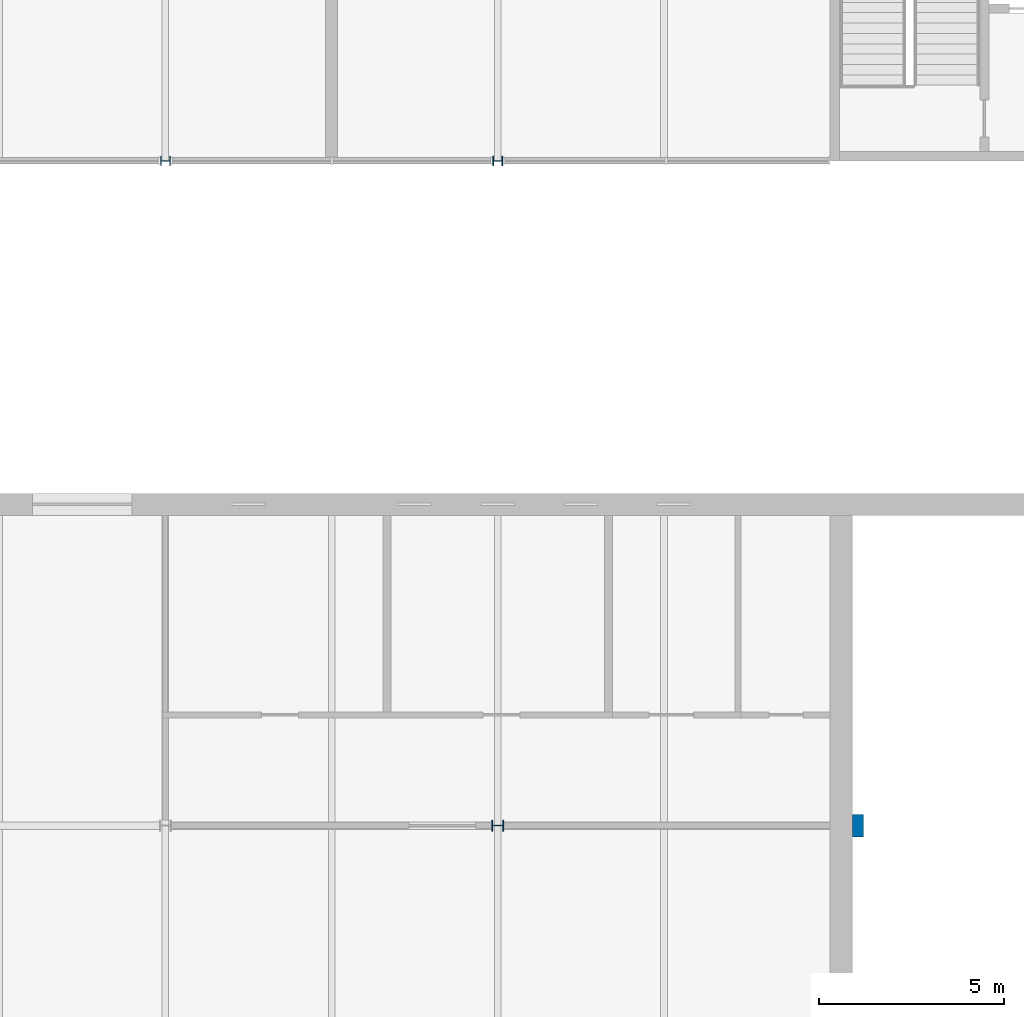
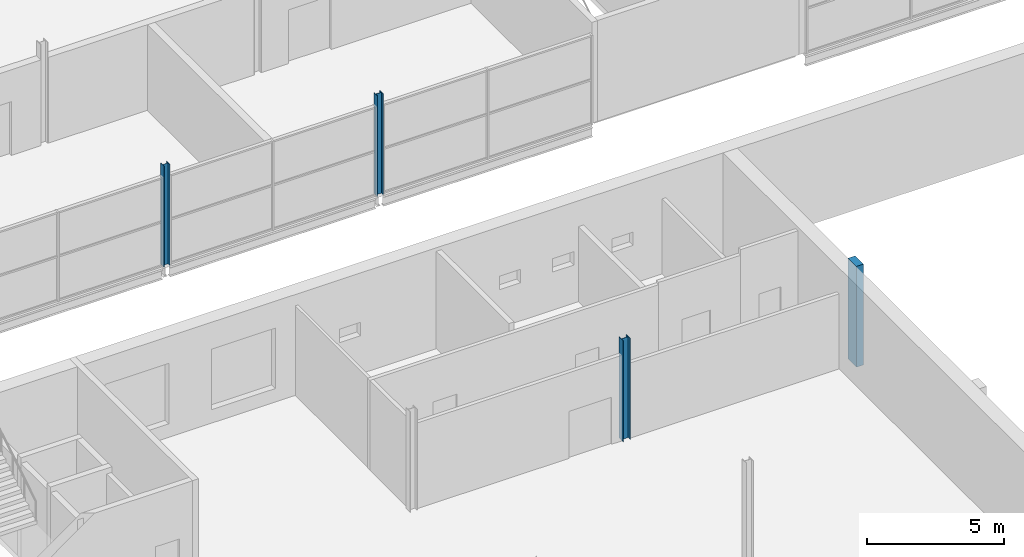
# One storey, part 17 of 97: 4 columns.
"""IFC4 building model written with IfcOpenShell, lengths in metres."""

from ifc_helpers import new_model, si_unit, direction, frame, origin, origin_2d, place, context, subcontext, project, spatial, rectangle, i_section, extrude, material, material_profile, profile_set, type_object, element, save


model = new_model("IFC4")

# Units and contexts
model_context = context("Model", 3, precision=1e-05, world=origin(), true_north=direction((0.0, 1.0)))
body_context = subcontext(model_context, "Body", "Model", "MODEL_VIEW")
ifc_project = project(units=[si_unit("LENGTHUNIT", "METRE"), si_unit("AREAUNIT", "SQUARE_METRE"), si_unit("VOLUMEUNIT", "CUBIC_METRE"), si_unit("PLANEANGLEUNIT", "RADIAN"), si_unit("MASSUNIT", "GRAM", prefix="KILO")], contexts=[model_context])

# Site, building, storey
site_placement = place(None, origin())
site = spatial("IfcSite", under=ifc_project, at=site_placement, CompositionType="ELEMENT")
building_placement = place(site_placement, origin())
building = spatial("IfcBuilding", under=site, at=building_placement, Name="Corbel Yard City Hall", CompositionType="ELEMENT")
storey_placement = place(building_placement, frame((0.0, 0.0, 6.0)))
storey = spatial("IfcBuildingStorey", under=building, at=storey_placement, Name="L01", CompositionType="ELEMENT", Elevation=6.0)

# Columns
ifc_material_1 = material(Name="Concrete N50 (50 MPa)", Category="concrete")
ifc_material_profile_1 = material_profile(ifc_material_1, rectangle(XDim=0.60009765625, YDim=0.300048828125, at=origin_2d()), Name="600x300")
ifc_profile_set_1 = profile_set([ifc_material_profile_1], Name="Concrete N50 (50 MPa)")
column_type_1 = type_object("IfcColumnType", Name="Chamber pilaster RC 600X300", PredefinedType="PILASTER", material=ifc_profile_set_1)
column_1_placement = place(storey_placement, frame((117.75, 72.0, 0.0), z_axis=(0.0, 0.0, 1.0), x_axis=(0.0, 1.0, 0.0)))
element("IfcColumn", 1, at=column_1_placement, inside=storey, type_object=column_type_1, Name="Chamber pilaster RC 600X300 RC2 L01", PredefinedType="PILASTER", context=body_context, shape_type="SweptSolid", body=[
    extrude(rectangle(XDim=0.60009765625, YDim=0.300048828125, at=origin_2d()), origin(), (0.0, 0.0, 1.0), 4.5),
])
ifc_material_2 = material(Name="Steel Grade 300 (300 MPa yield)", Category="steel")
ifc_material_profile_2 = material_profile(ifc_material_2, i_section(OverallWidth=0.256103515625, OverallDepth=0.260009765625, WebThickness=0.010498046875, FlangeThickness=0.017333984375, at=origin_2d()), Name="250UC89.5")
ifc_profile_set_2 = profile_set([ifc_material_profile_2], Name="Steel Grade 300 (300 MPa yield)")
column_type_2 = type_object("IfcColumnType", Name="Column 250UC89.5", PredefinedType="COLUMN", material=ifc_profile_set_2)
for number, where, z_axis, x_axis, name in (
    (2, (99.0, 90.0, 0.0), (0.0, 0.0, 1.0), (0.0, 1.0, 0.0), "Column 250UC89.5 K/12 L01"),
    (3, (108.0, 90.0, 0.0), (0.0, 0.0, 1.0), (0.0, 1.0, 0.0), "Column 250UC89.5 K/13 L01"),
):
    element("IfcColumn", number, at=place(storey_placement, frame(where, z_axis=z_axis, x_axis=x_axis)), inside=storey, type_object=column_type_2, Name=name, PredefinedType="COLUMN", context=body_context, shape_type="SweptSolid", body=[
        extrude(i_section(OverallWidth=0.256103515625, OverallDepth=0.260009765625, WebThickness=0.010498046875, FlangeThickness=0.017333984375, at=origin_2d()), origin(), (0.0, 0.0, 1.0), 4.5),
    ])
ifc_material_profile_3 = material_profile(ifc_material_2, i_section(OverallWidth=0.306884765625, OverallDepth=0.31494140625, WebThickness=0.011962890625, FlangeThickness=0.018798828125, at=origin_2d()), Name="310UC118")
ifc_profile_set_3 = profile_set([ifc_material_profile_3], Name="Steel Grade 300 (300 MPa yield)")
column_type_3 = type_object("IfcColumnType", Name="Column 310UC118", PredefinedType="COLUMN", material=ifc_profile_set_3)
column_2_placement = place(storey_placement, frame((108.0, 72.0, 0.0), z_axis=(0.0, 0.0, 1.0), x_axis=(0.0, 1.0, 0.0)))
element("IfcColumn", 4, at=column_2_placement, inside=storey, type_object=column_type_3, Name="Column 310UC118 I/13 L01", PredefinedType="COLUMN", context=body_context, shape_type="SweptSolid", body=[
    extrude(i_section(OverallWidth=0.306884765625, OverallDepth=0.31494140625, WebThickness=0.011962890625, FlangeThickness=0.018798828125, at=origin_2d()), origin(), (0.0, 0.0, 1.0), 4.5),
])

save(model, "model.ifc")
